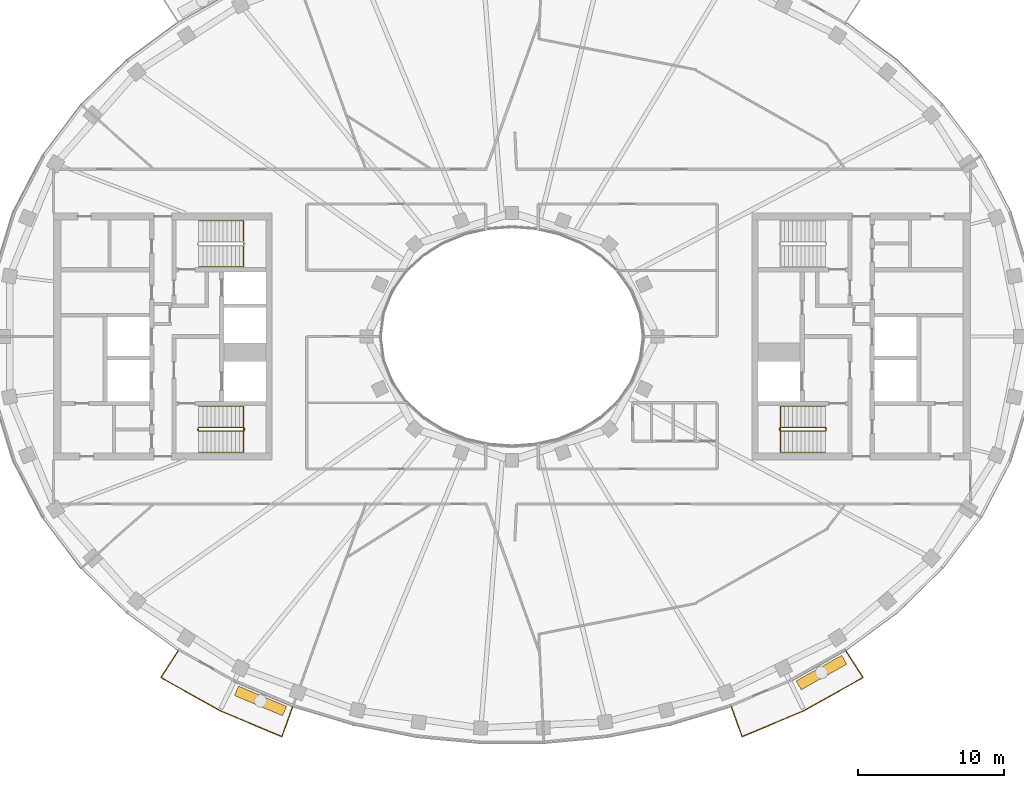
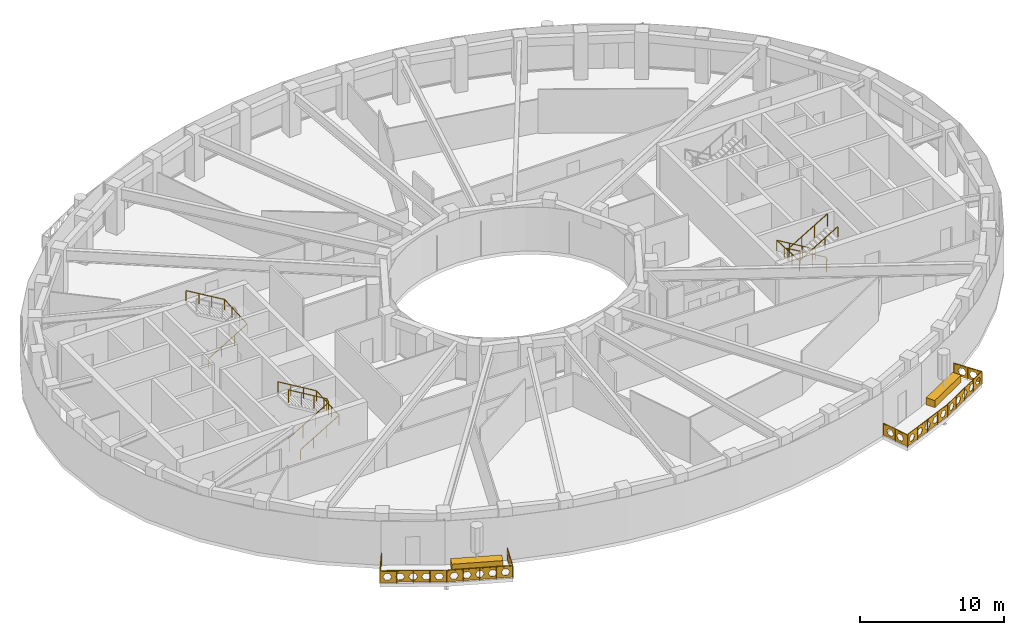
# One storey, part 13 of 15: 7 railings, 2 coverings.
"""IFC4 building model written with IfcOpenShell, lengths in metres."""

from ifc_helpers import new_model, si_unit, direction, frame, origin, origin_2d, place, context, subcontext, project, spatial, polyline, rectangle, outline, extrude, material, type_object, element, save


model = new_model("IFC4")

# Units and contexts
model_context = context("Model", 3, precision=1e-05, world=origin(), true_north=direction((0.0, 1.0)))
body_context = subcontext(model_context, "Body", "Model", "MODEL_VIEW")
ifc_project = project(units=[si_unit("LENGTHUNIT", "METRE"), si_unit("AREAUNIT", "SQUARE_METRE"), si_unit("VOLUMEUNIT", "CUBIC_METRE"), si_unit("PLANEANGLEUNIT", "RADIAN"), si_unit("MASSUNIT", "GRAM", prefix="KILO")], contexts=[model_context])

# Site, building, storey
site_placement = place(None, origin())
site = spatial("IfcSite", under=ifc_project, at=site_placement, CompositionType="ELEMENT")
building_placement = place(site_placement, origin())
building = spatial("IfcBuilding", under=site, at=building_placement, Name="Noorbagh Ring Tower", CompositionType="ELEMENT")
storey_placement = place(building_placement, frame((0.0, 0.0, 307.0)))
storey = spatial("IfcBuildingStorey", under=building, at=storey_placement, Name="L66", CompositionType="ELEMENT", Elevation=307.0)

# Railings
ifc_material_1 = material(Name="Stainless steel", Category="steel")
railing_type_1 = type_object("IfcRailingType", Name="CORE-STAIR-GUARD", PredefinedType="GUARDRAIL", material=ifc_material_1)
railing_1_placement = place(storey_placement, frame((-21.580078125, -6.449951171875, 0.0)))
element("IfcRailing", 1, at=railing_1_placement, inside=storey, type_object=railing_type_1, Name="L66 ST2 stair guard", PredefinedType="GUARDRAIL", context=body_context, shape_type="SweptSolid", body=[
    extrude(rectangle(XDim=0.048095703125, YDim=0.048095703125, at=origin_2d()), frame((0.0, 0.0, 1.076171875), z_axis=(0.0, 1.0, 0.0), x_axis=(-1.0, 0.0, 0.0)), (0.0, 0.0, 1.0), 0.14990234375),
    extrude(rectangle(XDim=0.048095703125, YDim=0.048095703125, at=origin_2d()), frame((0.0, 0.14990234375, 1.076171875), z_axis=(0.188775798145, -0.754182335027, 0.628945707965), x_axis=(0.970072785993, 0.242814311512, 0.0)), (0.0, 0.0, 1.0), 0.26513671875),
    extrude(rectangle(XDim=0.048095703125, YDim=0.048095703125, at=origin_2d()), frame((0.050048828125, -0.050048828125, 1.24267578125), z_axis=(0.859308565015, 0.0, 0.511457515432), x_axis=(0.0, 1.0, 0.0)), (0.0, 0.0, 1.0), 3.58447265625),
    extrude(rectangle(XDim=0.048095703125, YDim=0.048095703125, at=origin_2d()), frame((3.130126953125, -0.050048828125, 3.076171875), z_axis=(0.707106781187, 0.707106781187, 0.0), x_axis=(-0.707106781187, 0.707106781187, 0.0)), (0.0, 0.0, 1.0), 0.07080078125),
    extrude(rectangle(XDim=0.048095703125, YDim=0.048095703125, at=origin_2d()), frame((3.18017578125, 0.0, 3.076171875), z_axis=(0.0, 1.0, 0.0), x_axis=(-1.0, 0.0, 0.0)), (0.0, 0.0, 1.0), 0.14990234375),
    extrude(rectangle(XDim=0.048095703125, YDim=0.048095703125, at=origin_2d()), frame((3.18017578125, 0.14990234375, 3.076171875), z_axis=(-0.27628659633, 0.27628659633, 0.920506074601), x_axis=(-0.707106781187, -0.707106781187, 0.0)), (0.0, 0.0, 1.0), 0.18115234375),
    extrude(rectangle(XDim=0.048095703125, YDim=0.048095703125, at=origin_2d()), frame((3.130126953125, 0.199951171875, 3.24267578125), z_axis=(-0.859308565015, 0.0, 0.511457515432), x_axis=(0.0, -1.0, 0.0)), (0.0, 0.0, 1.0), 3.58447265625),
    extrude(rectangle(XDim=0.0419921875, YDim=0.0419921875, at=origin_2d()), origin(), (0.0, 0.0, 1.0), 1.052001953125),
    extrude(rectangle(XDim=0.0419921875, YDim=0.0419921875, at=origin_2d()), frame((1.07666015625, -0.050048828125, 0.77783203125)), (0.0, 0.0, 1.0), 1.052001953125),
    extrude(rectangle(XDim=0.0419921875, YDim=0.0419921875, at=origin_2d()), frame((2.103515625, -0.050048828125, 1.388916015625)), (0.0, 0.0, 1.0), 1.052001953125),
    extrude(rectangle(XDim=0.0419921875, YDim=0.0419921875, at=origin_2d()), frame((3.130126953125, -0.050048828125, 2.0)), (0.0, 0.0, 1.0), 1.052001953125),
    extrude(rectangle(XDim=0.0419921875, YDim=0.0419921875, at=origin_2d()), frame((3.130126953125, 0.199951171875, 2.166748046875)), (0.0, 0.0, 1.0), 1.052001953125),
    extrude(rectangle(XDim=0.0419921875, YDim=0.0419921875, at=origin_2d()), frame((2.103515625, 0.199951171875, 2.77783203125)), (0.0, 0.0, 1.0), 1.052001953125),
    extrude(rectangle(XDim=0.0419921875, YDim=0.0419921875, at=origin_2d()), frame((1.07666015625, 0.199951171875, 3.388916015625)), (0.0, 0.0, 1.0), 1.052001953125),
    extrude(rectangle(XDim=0.0419921875, YDim=0.0419921875, at=origin_2d()), frame((0.050048828125, 0.199951171875, 4.0)), (0.0, 0.0, 1.0), 1.052001953125),
])
railing_2_placement = place(storey_placement, frame((21.580078125, -6.300048828125, 0.0)))
element("IfcRailing", 2, at=railing_2_placement, inside=storey, type_object=railing_type_1, Name="L66 ST4 stair guard", PredefinedType="GUARDRAIL", context=body_context, shape_type="SweptSolid", body=[
    extrude(rectangle(XDim=0.048095703125, YDim=0.048095703125, at=origin_2d()), frame((0.0, 0.0, 1.076171875), z_axis=(0.0, -1.0, 0.0), x_axis=(1.0, 0.0, 0.0)), (0.0, 0.0, 1.0), 0.14990234375),
    extrude(rectangle(XDim=0.048095703125, YDim=0.048095703125, at=origin_2d()), frame((0.0, -0.14990234375, 1.076171875), z_axis=(-0.188775798145, 0.754182335027, 0.628945707965), x_axis=(-0.970072785993, -0.242814311512, 0.0)), (0.0, 0.0, 1.0), 0.26513671875),
    extrude(rectangle(XDim=0.048095703125, YDim=0.048095703125, at=origin_2d()), frame((-0.050048828125, 0.050048828125, 1.24267578125), z_axis=(-0.859308565015, 0.0, 0.511457515432), x_axis=(0.0, -1.0, 0.0)), (0.0, 0.0, 1.0), 3.58447265625),
    extrude(rectangle(XDim=0.048095703125, YDim=0.048095703125, at=origin_2d()), frame((-3.130126953125, 0.050048828125, 3.076171875), z_axis=(-0.707106781187, -0.707106781187, 0.0), x_axis=(0.707106781187, -0.707106781187, 0.0)), (0.0, 0.0, 1.0), 0.07080078125),
    extrude(rectangle(XDim=0.048095703125, YDim=0.048095703125, at=origin_2d()), frame((-3.18017578125, 0.0, 3.076171875), z_axis=(0.0, -1.0, 0.0), x_axis=(1.0, 0.0, 0.0)), (0.0, 0.0, 1.0), 0.14990234375),
    extrude(rectangle(XDim=0.048095703125, YDim=0.048095703125, at=origin_2d()), frame((-3.18017578125, -0.14990234375, 3.076171875), z_axis=(0.27628659633, -0.27628659633, 0.920506074601), x_axis=(0.707106781187, 0.707106781187, 0.0)), (0.0, 0.0, 1.0), 0.18115234375),
    extrude(rectangle(XDim=0.048095703125, YDim=0.048095703125, at=origin_2d()), frame((-3.130126953125, -0.199951171875, 3.24267578125), z_axis=(0.859308565015, 0.0, 0.511457515432), x_axis=(0.0, 1.0, 0.0)), (0.0, 0.0, 1.0), 3.58447265625),
    extrude(rectangle(XDim=0.0419921875, YDim=0.0419921875, at=origin_2d()), origin(), (0.0, 0.0, 1.0), 1.052001953125),
    extrude(rectangle(XDim=0.0419921875, YDim=0.0419921875, at=origin_2d()), frame((-1.07666015625, 0.050048828125, 0.77783203125)), (0.0, 0.0, 1.0), 1.052001953125),
    extrude(rectangle(XDim=0.0419921875, YDim=0.0419921875, at=origin_2d()), frame((-2.103515625, 0.050048828125, 1.388916015625)), (0.0, 0.0, 1.0), 1.052001953125),
    extrude(rectangle(XDim=0.0419921875, YDim=0.0419921875, at=origin_2d()), frame((-3.130126953125, 0.050048828125, 2.0)), (0.0, 0.0, 1.0), 1.052001953125),
    extrude(rectangle(XDim=0.0419921875, YDim=0.0419921875, at=origin_2d()), frame((-3.130126953125, -0.199951171875, 2.166748046875)), (0.0, 0.0, 1.0), 1.052001953125),
    extrude(rectangle(XDim=0.0419921875, YDim=0.0419921875, at=origin_2d()), frame((-2.103515625, -0.199951171875, 2.77783203125)), (0.0, 0.0, 1.0), 1.052001953125),
    extrude(rectangle(XDim=0.0419921875, YDim=0.0419921875, at=origin_2d()), frame((-1.07666015625, -0.199951171875, 3.388916015625)), (0.0, 0.0, 1.0), 1.052001953125),
    extrude(rectangle(XDim=0.0419921875, YDim=0.0419921875, at=origin_2d()), frame((-0.050048828125, -0.199951171875, 4.0)), (0.0, 0.0, 1.0), 1.052001953125),
])
ifc_material_2 = material(Name="Stainless steel", Category="steel")
railing_type_2 = type_object("IfcRailingType", Name="CORE-STAIR-HANDRAIL", PredefinedType="HANDRAIL", material=ifc_material_2)
railing_3_placement = place(storey_placement, frame((-21.530029296875, 4.800048828125, 0.166748046875)))
element("IfcRailing", 3, at=railing_3_placement, inside=storey, type_object=railing_type_2, Name="L66 ST1 stair handrail", PredefinedType="HANDRAIL", context=body_context, shape_type="SweptSolid", body=[
    extrude(rectangle(XDim=0.048095703125, YDim=0.048095703125, at=origin_2d()), frame((0.0, 0.0, 0.8759765625), z_axis=(0.859308565015, 0.0, 0.511457515432), x_axis=(0.0, 1.0, 0.0)), (0.0, 0.0, 1.0), 3.58447265625),
    extrude(rectangle(XDim=0.048095703125, YDim=0.048095703125, at=origin_2d()), frame((3.080078125, 0.0, 2.708984375), z_axis=(0.0, 0.998601747152, 0.052863509014), x_axis=(-1.0, 0.0, 0.0)), (0.0, 0.0, 1.0), 3.154296875),
    extrude(rectangle(XDim=0.048095703125, YDim=0.048095703125, at=origin_2d()), frame((3.080078125, 3.14990234375, 2.8759765625), z_axis=(-0.859308565015, 0.0, 0.511457515432), x_axis=(0.0, -1.0, 0.0)), (0.0, 0.0, 1.0), 3.58447265625),
    extrude(rectangle(XDim=0.0419921875, YDim=0.0419921875, at=origin_2d()), origin(), (0.0, 0.0, 1.0), 0.851806640625),
    extrude(rectangle(XDim=0.0419921875, YDim=0.0419921875, at=origin_2d()), frame((1.026611328125, 0.0, 0.611083984375)), (0.0, 0.0, 1.0), 0.851806640625),
    extrude(rectangle(XDim=0.0419921875, YDim=0.0419921875, at=origin_2d()), frame((2.053466796875, 0.0, 1.22216796875)), (0.0, 0.0, 1.0), 0.851806640625),
    extrude(rectangle(XDim=0.0419921875, YDim=0.0419921875, at=origin_2d()), frame((3.080078125, 0.0, 1.833251953125)), (0.0, 0.0, 1.0), 0.851806640625),
    extrude(rectangle(XDim=0.0419921875, YDim=0.0419921875, at=origin_2d()), frame((3.080078125, 1.050048828125, 1.888916015625)), (0.0, 0.0, 1.0), 0.851806640625),
    extrude(rectangle(XDim=0.0419921875, YDim=0.0419921875, at=origin_2d()), frame((3.080078125, 2.099853515625, 1.9443359375)), (0.0, 0.0, 1.0), 0.851806640625),
    extrude(rectangle(XDim=0.0419921875, YDim=0.0419921875, at=origin_2d()), frame((3.080078125, 3.14990234375, 2.0)), (0.0, 0.0, 1.0), 0.851806640625),
    extrude(rectangle(XDim=0.0419921875, YDim=0.0419921875, at=origin_2d()), frame((2.053466796875, 3.14990234375, 2.611083984375)), (0.0, 0.0, 1.0), 0.851806640625),
    extrude(rectangle(XDim=0.0419921875, YDim=0.0419921875, at=origin_2d()), frame((1.026611328125, 3.14990234375, 3.22216796875)), (0.0, 0.0, 1.0), 0.851806640625),
    extrude(rectangle(XDim=0.0419921875, YDim=0.0419921875, at=origin_2d()), frame((0.0, 3.14990234375, 3.833251953125)), (0.0, 0.0, 1.0), 0.851806640625),
])
railing_4_placement = place(storey_placement, frame((-21.530029296875, -7.949951171875, 0.166748046875)))
element("IfcRailing", 4, at=railing_4_placement, inside=storey, type_object=railing_type_2, Name="L66 ST2 stair handrail", PredefinedType="HANDRAIL", context=body_context, shape_type="SweptSolid", body=[
    extrude(rectangle(XDim=0.048095703125, YDim=0.048095703125, at=origin_2d()), frame((0.0, 0.0, 0.8759765625), z_axis=(0.859308565015, 0.0, 0.511457515432), x_axis=(0.0, 1.0, 0.0)), (0.0, 0.0, 1.0), 3.58447265625),
    extrude(rectangle(XDim=0.048095703125, YDim=0.048095703125, at=origin_2d()), frame((3.080078125, 0.0, 2.708984375), z_axis=(0.0, 0.998601747152, 0.052863509014), x_axis=(-1.0, 0.0, 0.0)), (0.0, 0.0, 1.0), 3.154296875),
    extrude(rectangle(XDim=0.048095703125, YDim=0.048095703125, at=origin_2d()), frame((3.080078125, 3.14990234375, 2.8759765625), z_axis=(-0.859308565015, 0.0, 0.511457515432), x_axis=(0.0, -1.0, 0.0)), (0.0, 0.0, 1.0), 3.58447265625),
    extrude(rectangle(XDim=0.0419921875, YDim=0.0419921875, at=origin_2d()), origin(), (0.0, 0.0, 1.0), 0.851806640625),
    extrude(rectangle(XDim=0.0419921875, YDim=0.0419921875, at=origin_2d()), frame((1.026611328125, 0.0, 0.611083984375)), (0.0, 0.0, 1.0), 0.851806640625),
    extrude(rectangle(XDim=0.0419921875, YDim=0.0419921875, at=origin_2d()), frame((2.053466796875, 0.0, 1.22216796875)), (0.0, 0.0, 1.0), 0.851806640625),
    extrude(rectangle(XDim=0.0419921875, YDim=0.0419921875, at=origin_2d()), frame((3.080078125, 0.0, 1.833251953125)), (0.0, 0.0, 1.0), 0.851806640625),
    extrude(rectangle(XDim=0.0419921875, YDim=0.0419921875, at=origin_2d()), frame((3.080078125, 1.050048828125, 1.888916015625)), (0.0, 0.0, 1.0), 0.851806640625),
    extrude(rectangle(XDim=0.0419921875, YDim=0.0419921875, at=origin_2d()), frame((3.080078125, 2.099853515625, 1.9443359375)), (0.0, 0.0, 1.0), 0.851806640625),
    extrude(rectangle(XDim=0.0419921875, YDim=0.0419921875, at=origin_2d()), frame((3.080078125, 3.14990234375, 2.0)), (0.0, 0.0, 1.0), 0.851806640625),
    extrude(rectangle(XDim=0.0419921875, YDim=0.0419921875, at=origin_2d()), frame((2.053466796875, 3.14990234375, 2.611083984375)), (0.0, 0.0, 1.0), 0.851806640625),
    extrude(rectangle(XDim=0.0419921875, YDim=0.0419921875, at=origin_2d()), frame((1.026611328125, 3.14990234375, 3.22216796875)), (0.0, 0.0, 1.0), 0.851806640625),
    extrude(rectangle(XDim=0.0419921875, YDim=0.0419921875, at=origin_2d()), frame((0.0, 3.14990234375, 3.833251953125)), (0.0, 0.0, 1.0), 0.851806640625),
])
railing_5_placement = place(storey_placement, frame((21.530029296875, -4.800048828125, 0.166748046875)))
element("IfcRailing", 5, at=railing_5_placement, inside=storey, type_object=railing_type_2, Name="L66 ST4 stair handrail", PredefinedType="HANDRAIL", context=body_context, shape_type="SweptSolid", body=[
    extrude(rectangle(XDim=0.048095703125, YDim=0.048095703125, at=origin_2d()), frame((0.0, 0.0, 0.8759765625), z_axis=(-0.859308565015, 0.0, 0.511457515432), x_axis=(0.0, -1.0, 0.0)), (0.0, 0.0, 1.0), 3.58447265625),
    extrude(rectangle(XDim=0.048095703125, YDim=0.048095703125, at=origin_2d()), frame((-3.080078125, 0.0, 2.708984375), z_axis=(0.0, -0.998601747152, 0.052863509014), x_axis=(1.0, 0.0, 0.0)), (0.0, 0.0, 1.0), 3.154296875),
    extrude(rectangle(XDim=0.048095703125, YDim=0.048095703125, at=origin_2d()), frame((-3.080078125, -3.14990234375, 2.8759765625), z_axis=(0.859308565015, 0.0, 0.511457515432), x_axis=(0.0, 1.0, 0.0)), (0.0, 0.0, 1.0), 3.58447265625),
    extrude(rectangle(XDim=0.0419921875, YDim=0.0419921875, at=origin_2d()), origin(), (0.0, 0.0, 1.0), 0.851806640625),
    extrude(rectangle(XDim=0.0419921875, YDim=0.0419921875, at=origin_2d()), frame((-1.026611328125, 0.0, 0.611083984375)), (0.0, 0.0, 1.0), 0.851806640625),
    extrude(rectangle(XDim=0.0419921875, YDim=0.0419921875, at=origin_2d()), frame((-2.053466796875, 0.0, 1.22216796875)), (0.0, 0.0, 1.0), 0.851806640625),
    extrude(rectangle(XDim=0.0419921875, YDim=0.0419921875, at=origin_2d()), frame((-3.080078125, 0.0, 1.833251953125)), (0.0, 0.0, 1.0), 0.851806640625),
    extrude(rectangle(XDim=0.0419921875, YDim=0.0419921875, at=origin_2d()), frame((-3.080078125, -1.050048828125, 1.888916015625)), (0.0, 0.0, 1.0), 0.851806640625),
    extrude(rectangle(XDim=0.0419921875, YDim=0.0419921875, at=origin_2d()), frame((-3.080078125, -2.099853515625, 1.9443359375)), (0.0, 0.0, 1.0), 0.851806640625),
    extrude(rectangle(XDim=0.0419921875, YDim=0.0419921875, at=origin_2d()), frame((-3.080078125, -3.14990234375, 2.0)), (0.0, 0.0, 1.0), 0.851806640625),
    extrude(rectangle(XDim=0.0419921875, YDim=0.0419921875, at=origin_2d()), frame((-2.053466796875, -3.14990234375, 2.611083984375)), (0.0, 0.0, 1.0), 0.851806640625),
    extrude(rectangle(XDim=0.0419921875, YDim=0.0419921875, at=origin_2d()), frame((-1.026611328125, -3.14990234375, 3.22216796875)), (0.0, 0.0, 1.0), 0.851806640625),
    extrude(rectangle(XDim=0.0419921875, YDim=0.0419921875, at=origin_2d()), frame((0.0, -3.14990234375, 3.833251953125)), (0.0, 0.0, 1.0), 0.851806640625),
])
ifc_material_3 = material(Name="Steel S275 black powder-coated", Category="steel")
railing_type_3 = type_object("IfcRailingType", Name="ENV-GUARD", PredefinedType="GUARDRAIL", material=ifc_material_3)
railing_6_placement = place(storey_placement, frame((-22.9326171875, -21.583740234375, 0.0)))
element("IfcRailing", 6, at=railing_6_placement, inside=storey, type_object=railing_type_3, Name="Balcony guard BS02", PredefinedType="GUARDRAIL", context=body_context, shape_type="SweptSolid", body=[
    extrude(rectangle(XDim=0.048095703125, YDim=0.048095703125, at=origin_2d()), frame((0.0, 0.0, 1.076171875), z_axis=(-0.542268136821, -0.840205491406, 0.0), x_axis=(0.840205491406, -0.542268136821, 0.0)), (0.0, 0.0, 1.0), 2.204345703125),
    extrude(rectangle(XDim=0.048095703125, YDim=0.048095703125, at=origin_2d()), frame((-1.1953125, -1.85205078125, 1.076171875), z_axis=(0.872052247658, -0.489412788303, 0.0), x_axis=(0.489412788303, 0.872052247658, 0.0)), (0.0, 0.0, 1.0), 4.646240234375),
    extrude(rectangle(XDim=0.048095703125, YDim=0.048095703125, at=origin_2d()), frame((2.8564453125, -4.1259765625, 1.076171875), z_axis=(0.921809087722, -0.387644174203, 0.0), x_axis=(0.387644174203, 0.921809087722, 0.0)), (0.0, 0.0, 1.0), 4.627197265625),
    extrude(rectangle(XDim=0.048095703125, YDim=0.048095703125, at=origin_2d()), frame((7.121826171875, -5.919677734375, 1.076171875), z_axis=(0.338350546839, 0.941020141896, 0.0), x_axis=(-0.941020141896, 0.338350546839, 0.0)), (0.0, 0.0, 1.0), 2.202880859375),
    extrude(rectangle(XDim=0.0419921875, YDim=0.0419921875, at=origin_2d()), origin(), (0.0, 0.0, 1.0), 1.052001953125),
    extrude(rectangle(XDim=0.0419921875, YDim=0.0419921875, at=origin_2d()), frame((-0.59765625, -0.926025390625, 0.0)), (0.0, 0.0, 1.0), 1.052001953125),
    extrude(rectangle(XDim=0.0419921875, YDim=0.0419921875, at=origin_2d()), frame((-1.1953125, -1.85205078125, 0.0)), (0.0, 0.0, 1.0), 1.052001953125),
    extrude(rectangle(XDim=0.0419921875, YDim=0.0419921875, at=origin_2d()), frame((-0.182373046875, -2.42041015625, 0.0)), (0.0, 0.0, 1.0), 1.052001953125),
    extrude(rectangle(XDim=0.0419921875, YDim=0.0419921875, at=origin_2d()), frame((0.83056640625, -2.989013671875, 0.0)), (0.0, 0.0, 1.0), 1.052001953125),
    extrude(rectangle(XDim=0.0419921875, YDim=0.0419921875, at=origin_2d()), frame((1.843505859375, -3.5576171875, 0.0)), (0.0, 0.0, 1.0), 1.052001953125),
    extrude(rectangle(XDim=0.0419921875, YDim=0.0419921875, at=origin_2d()), frame((2.8564453125, -4.1259765625, 0.0)), (0.0, 0.0, 1.0), 1.052001953125),
    extrude(rectangle(XDim=0.0419921875, YDim=0.0419921875, at=origin_2d()), frame((3.9228515625, -4.574462890625, 0.0)), (0.0, 0.0, 1.0), 1.052001953125),
    extrude(rectangle(XDim=0.0419921875, YDim=0.0419921875, at=origin_2d()), frame((4.9892578125, -5.02294921875, 0.0)), (0.0, 0.0, 1.0), 1.052001953125),
    extrude(rectangle(XDim=0.0419921875, YDim=0.0419921875, at=origin_2d()), frame((6.055419921875, -5.47119140625, 0.0)), (0.0, 0.0, 1.0), 1.052001953125),
    extrude(rectangle(XDim=0.0419921875, YDim=0.0419921875, at=origin_2d()), frame((7.121826171875, -5.919677734375, 0.0)), (0.0, 0.0, 1.0), 1.052001953125),
    extrude(rectangle(XDim=0.0419921875, YDim=0.0419921875, at=origin_2d()), frame((7.49462890625, -4.88330078125, 0.0)), (0.0, 0.0, 1.0), 1.052001953125),
    extrude(rectangle(XDim=0.0419921875, YDim=0.0419921875, at=origin_2d()), frame((7.8671875, -3.8466796875, 0.0)), (0.0, 0.0, 1.0), 1.052001953125),
    extrude(outline(polyline([(0.0, 0.10009765625), (2.204345703125, 0.10009765625), (2.204345703125, 1.031982421875), (0.0, 1.031982421875), (0.0, 0.10009765625)]), holes=[polyline([(0.962158203125, 0.56591796875), (0.80712890625, 0.83447265625), (0.4970703125, 0.83447265625), (0.342041015625, 0.56591796875), (0.4970703125, 0.297607421875), (0.80712890625, 0.297607421875), (0.962158203125, 0.56591796875)]), polyline([(1.862060546875, 0.56591796875), (1.70703125, 0.83447265625), (1.397216796875, 0.83447265625), (1.2421875, 0.56591796875), (1.397216796875, 0.297607421875), (1.70703125, 0.297607421875), (1.862060546875, 0.56591796875)])]), frame((0.00830078125, -0.00537109375, 0.0), z_axis=(-0.840205491406, 0.542268136821, 0.0), x_axis=(-0.542268136821, -0.840205491406, 0.0)), (0.0, 0.0, 1.0), 0.02001953125),
    extrude(outline(polyline([(0.0, 0.10009765625), (4.646240234375, 0.10009765625), (4.646240234375, 1.031982421875), (0.0, 1.031982421875), (0.0, 0.10009765625)]), holes=[polyline([(0.8330078125, 0.56591796875), (0.67822265625, 0.83447265625), (0.3681640625, 0.83447265625), (0.213134765625, 0.56591796875), (0.3681640625, 0.297607421875), (0.67822265625, 0.297607421875), (0.8330078125, 0.56591796875)]), polyline([(1.733154296875, 0.56591796875), (1.578125, 0.83447265625), (1.26806640625, 0.83447265625), (1.113037109375, 0.56591796875), (1.26806640625, 0.297607421875), (1.578125, 0.297607421875), (1.733154296875, 0.56591796875)]), polyline([(2.633056640625, 0.56591796875), (2.47802734375, 0.83447265625), (2.168212890625, 0.83447265625), (2.01318359375, 0.56591796875), (2.168212890625, 0.297607421875), (2.47802734375, 0.297607421875), (2.633056640625, 0.56591796875)]), polyline([(3.533203125, 0.56591796875), (3.378173828125, 0.83447265625), (3.068115234375, 0.83447265625), (2.9130859375, 0.56591796875), (3.068115234375, 0.297607421875), (3.378173828125, 0.297607421875), (3.533203125, 0.56591796875)]), polyline([(4.43310546875, 0.56591796875), (4.278076171875, 0.83447265625), (3.968017578125, 0.83447265625), (3.813232421875, 0.56591796875), (3.968017578125, 0.297607421875), (4.278076171875, 0.297607421875), (4.43310546875, 0.56591796875)])]), frame((-1.1904296875, -1.84326171875, 0.0), z_axis=(-0.489412788303, -0.872052247658, 0.0), x_axis=(0.872052247658, -0.489412788303, 0.0)), (0.0, 0.0, 1.0), 0.02001953125),
    extrude(outline(polyline([(0.0, 0.10009765625), (4.627197265625, 0.10009765625), (4.627197265625, 1.031982421875), (0.0, 1.031982421875), (0.0, 0.10009765625)]), holes=[polyline([(0.823486328125, 0.56591796875), (0.668701171875, 0.83447265625), (0.358642578125, 0.83447265625), (0.20361328125, 0.56591796875), (0.358642578125, 0.297607421875), (0.668701171875, 0.297607421875), (0.823486328125, 0.56591796875)]), polyline([(1.7236328125, 0.56591796875), (1.568603515625, 0.83447265625), (1.258544921875, 0.83447265625), (1.103515625, 0.56591796875), (1.258544921875, 0.297607421875), (1.568603515625, 0.297607421875), (1.7236328125, 0.56591796875)]), polyline([(2.62353515625, 0.56591796875), (2.468505859375, 0.83447265625), (2.15869140625, 0.83447265625), (2.003662109375, 0.56591796875), (2.15869140625, 0.297607421875), (2.468505859375, 0.297607421875), (2.62353515625, 0.56591796875)]), polyline([(3.523681640625, 0.56591796875), (3.36865234375, 0.83447265625), (3.05859375, 0.83447265625), (2.903564453125, 0.56591796875), (3.05859375, 0.297607421875), (3.36865234375, 0.297607421875), (3.523681640625, 0.56591796875)]), polyline([(4.423583984375, 0.56591796875), (4.2685546875, 0.83447265625), (3.95849609375, 0.83447265625), (3.8037109375, 0.56591796875), (3.95849609375, 0.297607421875), (4.2685546875, 0.297607421875), (4.423583984375, 0.56591796875)])]), frame((2.8603515625, -4.11669921875, 0.0), z_axis=(-0.387644174203, -0.921809087722, 0.0), x_axis=(0.921809087722, -0.387644174203, 0.0)), (0.0, 0.0, 1.0), 0.02001953125),
    extrude(outline(polyline([(0.0, 0.10009765625), (2.202880859375, 0.10009765625), (2.202880859375, 1.031982421875), (0.0, 1.031982421875), (0.0, 0.10009765625)]), holes=[polyline([(0.96142578125, 0.56591796875), (0.806396484375, 0.83447265625), (0.49658203125, 0.83447265625), (0.341552734375, 0.56591796875), (0.49658203125, 0.297607421875), (0.806396484375, 0.297607421875), (0.96142578125, 0.56591796875)]), polyline([(1.861572265625, 0.56591796875), (1.70654296875, 0.83447265625), (1.396484375, 0.83447265625), (1.241455078125, 0.56591796875), (1.396484375, 0.297607421875), (1.70654296875, 0.297607421875), (1.861572265625, 0.56591796875)])]), frame((7.1123046875, -5.916259765625, 0.0), z_axis=(0.941020141896, -0.338350546839, 0.0), x_axis=(0.338350546839, 0.941020141896, 0.0)), (0.0, 0.0, 1.0), 0.02001953125),
])
railing_7_placement = place(storey_placement, frame((15.0654296875, -25.430419921875, 0.0)))
element("IfcRailing", 7, at=railing_7_placement, inside=storey, type_object=railing_type_3, Name="Balcony guard BS05", PredefinedType="GUARDRAIL", context=body_context, shape_type="SweptSolid", body=[
    extrude(rectangle(XDim=0.048095703125, YDim=0.048095703125, at=origin_2d()), frame((0.0, 0.0, 1.076171875), z_axis=(0.338350546839, -0.941020141896, 0.0), x_axis=(0.941020141896, 0.338350546839, 0.0)), (0.0, 0.0, 1.0), 2.202880859375),
    extrude(rectangle(XDim=0.048095703125, YDim=0.048095703125, at=origin_2d()), frame((0.745361328125, -2.072998046875, 1.076171875), z_axis=(0.921809087722, 0.387644174203, 0.0), x_axis=(-0.387644174203, 0.921809087722, 0.0)), (0.0, 0.0, 1.0), 4.627197265625),
    extrude(rectangle(XDim=0.048095703125, YDim=0.048095703125, at=origin_2d()), frame((5.0107421875, -0.279296875, 1.076171875), z_axis=(0.872052247658, 0.489412788303, 0.0), x_axis=(-0.489412788303, 0.872052247658, 0.0)), (0.0, 0.0, 1.0), 4.646240234375),
    extrude(rectangle(XDim=0.048095703125, YDim=0.048095703125, at=origin_2d()), frame((9.0625, 1.99462890625, 1.076171875), z_axis=(-0.542268136821, 0.840205491406, 0.0), x_axis=(-0.840205491406, -0.542268136821, 0.0)), (0.0, 0.0, 1.0), 2.204345703125),
    extrude(rectangle(XDim=0.0419921875, YDim=0.0419921875, at=origin_2d()), origin(), (0.0, 0.0, 1.0), 1.052001953125),
    extrude(rectangle(XDim=0.0419921875, YDim=0.0419921875, at=origin_2d()), frame((0.37255859375, -1.03662109375, 0.0)), (0.0, 0.0, 1.0), 1.052001953125),
    extrude(rectangle(XDim=0.0419921875, YDim=0.0419921875, at=origin_2d()), frame((0.745361328125, -2.072998046875, 0.0)), (0.0, 0.0, 1.0), 1.052001953125),
    extrude(rectangle(XDim=0.0419921875, YDim=0.0419921875, at=origin_2d()), frame((1.811767578125, -1.62451171875, 0.0)), (0.0, 0.0, 1.0), 1.052001953125),
    extrude(rectangle(XDim=0.0419921875, YDim=0.0419921875, at=origin_2d()), frame((2.8779296875, -1.17626953125, 0.0)), (0.0, 0.0, 1.0), 1.052001953125),
    extrude(rectangle(XDim=0.0419921875, YDim=0.0419921875, at=origin_2d()), frame((3.9443359375, -0.727783203125, 0.0)), (0.0, 0.0, 1.0), 1.052001953125),
    extrude(rectangle(XDim=0.0419921875, YDim=0.0419921875, at=origin_2d()), frame((5.0107421875, -0.279296875, 0.0)), (0.0, 0.0, 1.0), 1.052001953125),
    extrude(rectangle(XDim=0.0419921875, YDim=0.0419921875, at=origin_2d()), frame((6.023681640625, 0.2890625, 0.0)), (0.0, 0.0, 1.0), 1.052001953125),
    extrude(rectangle(XDim=0.0419921875, YDim=0.0419921875, at=origin_2d()), frame((7.03662109375, 0.857666015625, 0.0)), (0.0, 0.0, 1.0), 1.052001953125),
    extrude(rectangle(XDim=0.0419921875, YDim=0.0419921875, at=origin_2d()), frame((8.049560546875, 1.42626953125, 0.0)), (0.0, 0.0, 1.0), 1.052001953125),
    extrude(rectangle(XDim=0.0419921875, YDim=0.0419921875, at=origin_2d()), frame((9.0625, 1.99462890625, 0.0)), (0.0, 0.0, 1.0), 1.052001953125),
    extrude(rectangle(XDim=0.0419921875, YDim=0.0419921875, at=origin_2d()), frame((8.46484375, 2.920654296875, 0.0)), (0.0, 0.0, 1.0), 1.052001953125),
    extrude(rectangle(XDim=0.0419921875, YDim=0.0419921875, at=origin_2d()), frame((7.8671875, 3.8466796875, 0.0)), (0.0, 0.0, 1.0), 1.052001953125),
    extrude(outline(polyline([(0.0, 0.10009765625), (2.202880859375, 0.10009765625), (2.202880859375, 1.031982421875), (0.0, 1.031982421875), (0.0, 0.10009765625)]), holes=[polyline([(0.96142578125, 0.56591796875), (0.806396484375, 0.83447265625), (0.49658203125, 0.83447265625), (0.341552734375, 0.56591796875), (0.49658203125, 0.297607421875), (0.806396484375, 0.297607421875), (0.96142578125, 0.56591796875)]), polyline([(1.861572265625, 0.56591796875), (1.70654296875, 0.83447265625), (1.396484375, 0.83447265625), (1.241455078125, 0.56591796875), (1.396484375, 0.297607421875), (1.70654296875, 0.297607421875), (1.861572265625, 0.56591796875)])]), frame((0.009521484375, 0.00341796875, 0.0), z_axis=(-0.941020141896, -0.338350546839, 0.0), x_axis=(0.338350546839, -0.941020141896, 0.0)), (0.0, 0.0, 1.0), 0.02001953125),
    extrude(outline(polyline([(0.0, 0.10009765625), (4.627197265625, 0.10009765625), (4.627197265625, 1.031982421875), (0.0, 1.031982421875), (0.0, 0.10009765625)]), holes=[polyline([(0.823486328125, 0.56591796875), (0.668701171875, 0.83447265625), (0.358642578125, 0.83447265625), (0.20361328125, 0.56591796875), (0.358642578125, 0.297607421875), (0.668701171875, 0.297607421875), (0.823486328125, 0.56591796875)]), polyline([(1.7236328125, 0.56591796875), (1.568603515625, 0.83447265625), (1.258544921875, 0.83447265625), (1.103515625, 0.56591796875), (1.258544921875, 0.297607421875), (1.568603515625, 0.297607421875), (1.7236328125, 0.56591796875)]), polyline([(2.62353515625, 0.56591796875), (2.468505859375, 0.83447265625), (2.15869140625, 0.83447265625), (2.003662109375, 0.56591796875), (2.15869140625, 0.297607421875), (2.468505859375, 0.297607421875), (2.62353515625, 0.56591796875)]), polyline([(3.523681640625, 0.56591796875), (3.36865234375, 0.83447265625), (3.05859375, 0.83447265625), (2.903564453125, 0.56591796875), (3.05859375, 0.297607421875), (3.36865234375, 0.297607421875), (3.523681640625, 0.56591796875)]), polyline([(4.423583984375, 0.56591796875), (4.2685546875, 0.83447265625), (3.95849609375, 0.83447265625), (3.8037109375, 0.56591796875), (3.95849609375, 0.297607421875), (4.2685546875, 0.297607421875), (4.423583984375, 0.56591796875)])]), frame((0.741455078125, -2.063720703125, 0.0), z_axis=(0.387644174203, -0.921809087722, 0.0), x_axis=(0.921809087722, 0.387644174203, 0.0)), (0.0, 0.0, 1.0), 0.02001953125),
    extrude(outline(polyline([(0.0, 0.10009765625), (4.646240234375, 0.10009765625), (4.646240234375, 1.031982421875), (0.0, 1.031982421875), (0.0, 0.10009765625)]), holes=[polyline([(0.8330078125, 0.56591796875), (0.67822265625, 0.83447265625), (0.3681640625, 0.83447265625), (0.213134765625, 0.56591796875), (0.3681640625, 0.297607421875), (0.67822265625, 0.297607421875), (0.8330078125, 0.56591796875)]), polyline([(1.733154296875, 0.56591796875), (1.578125, 0.83447265625), (1.26806640625, 0.83447265625), (1.113037109375, 0.56591796875), (1.26806640625, 0.297607421875), (1.578125, 0.297607421875), (1.733154296875, 0.56591796875)]), polyline([(2.633056640625, 0.56591796875), (2.47802734375, 0.83447265625), (2.168212890625, 0.83447265625), (2.01318359375, 0.56591796875), (2.168212890625, 0.297607421875), (2.47802734375, 0.297607421875), (2.633056640625, 0.56591796875)]), polyline([(3.533203125, 0.56591796875), (3.378173828125, 0.83447265625), (3.068115234375, 0.83447265625), (2.9130859375, 0.56591796875), (3.068115234375, 0.297607421875), (3.378173828125, 0.297607421875), (3.533203125, 0.56591796875)]), polyline([(4.43310546875, 0.56591796875), (4.278076171875, 0.83447265625), (3.968017578125, 0.83447265625), (3.813232421875, 0.56591796875), (3.968017578125, 0.297607421875), (4.278076171875, 0.297607421875), (4.43310546875, 0.56591796875)])]), frame((5.005859375, -0.2705078125, 0.0), z_axis=(0.489412788303, -0.872052247658, 0.0), x_axis=(0.872052247658, 0.489412788303, 0.0)), (0.0, 0.0, 1.0), 0.02001953125),
    extrude(outline(polyline([(0.0, 0.10009765625), (2.204345703125, 0.10009765625), (2.204345703125, 1.031982421875), (0.0, 1.031982421875), (0.0, 0.10009765625)]), holes=[polyline([(0.962158203125, 0.56591796875), (0.80712890625, 0.83447265625), (0.4970703125, 0.83447265625), (0.342041015625, 0.56591796875), (0.4970703125, 0.297607421875), (0.80712890625, 0.297607421875), (0.962158203125, 0.56591796875)]), polyline([(1.862060546875, 0.56591796875), (1.70703125, 0.83447265625), (1.397216796875, 0.83447265625), (1.2421875, 0.56591796875), (1.397216796875, 0.297607421875), (1.70703125, 0.297607421875), (1.862060546875, 0.56591796875)])]), frame((9.05419921875, 1.9892578125, 0.0), z_axis=(0.840205491406, 0.542268136821, 0.0), x_axis=(-0.542268136821, 0.840205491406, 0.0)), (0.0, 0.0, 1.0), 0.02001953125),
])

# Coverings
ifc_material_4 = material(Name="Concrete C30/37 planter with soil", Category="concrete")
covering_type = type_object("IfcCoveringType", Name="ENV-PLANTER", PredefinedType="CLADDING", material=ifc_material_4)
covering_1_placement = place(storey_placement, frame((-17.280517578125, -25.041259765625, 0.0), z_axis=(0.0, 0.0, 1.0), x_axis=(0.921811566494, -0.387638279686, 0.0)))
element("IfcCovering", 8, at=covering_1_placement, inside=storey, type_object=covering_type, Name="PLANTER BS02", ObjectType="PLANTER", PredefinedType="CLADDING", context=body_context, shape_type="SweptSolid", body=[
    extrude(rectangle(XDim=3.5859375, YDim=0.699951171875, at=origin_2d()), origin(), (0.0, 0.0, 1.0), 0.60009765625),
])
covering_2_placement = place(storey_placement, frame((21.26513671875, -23.093017578125, 0.0), z_axis=(0.0, 0.0, 1.0), x_axis=(0.872044586249, 0.48942643941, 0.0)))
element("IfcCovering", 9, at=covering_2_placement, inside=storey, type_object=covering_type, Name="PLANTER BS05", ObjectType="PLANTER", PredefinedType="CLADDING", context=body_context, shape_type="SweptSolid", body=[
    extrude(rectangle(XDim=3.58544921875, YDim=0.699951171875, at=origin_2d()), origin(), (0.0, 0.0, 1.0), 0.60009765625),
])

save(model, "model.ifc")
